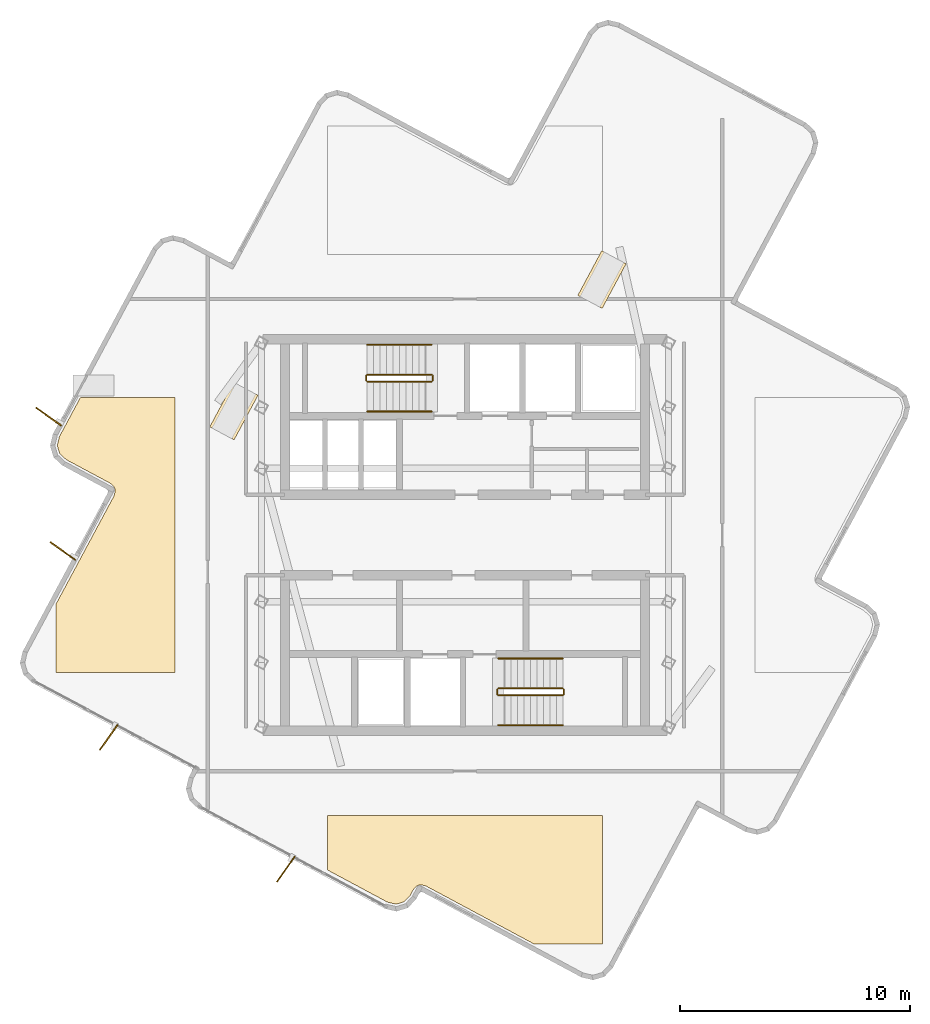
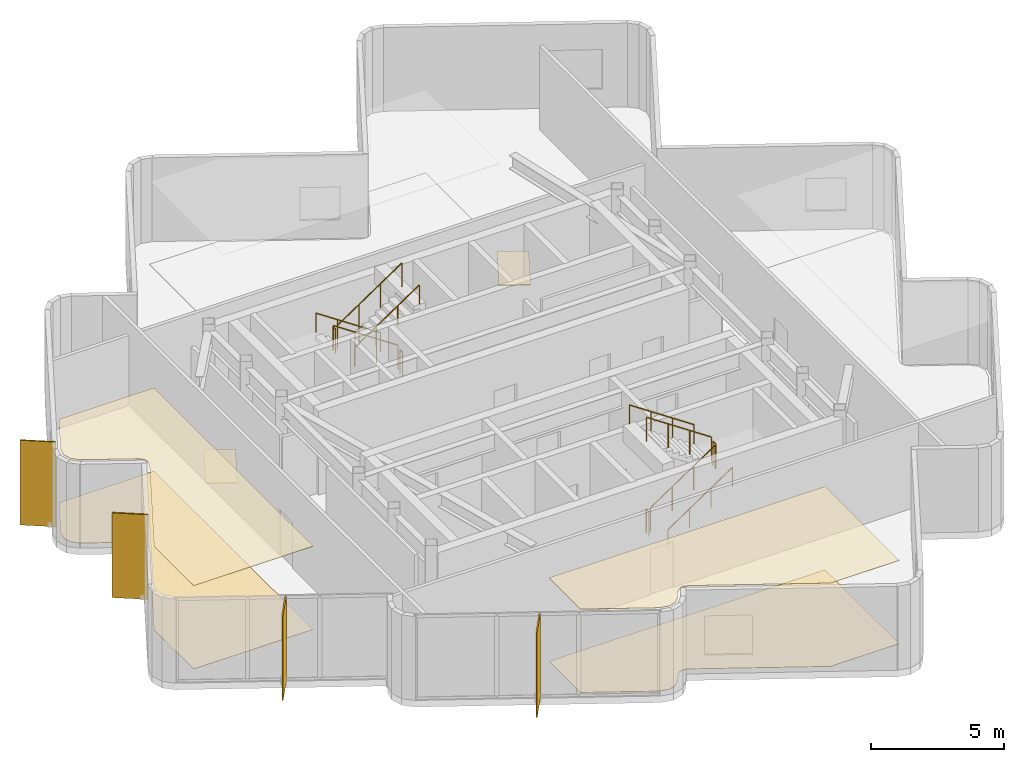
# One storey, part 7 of 9: 12 railings, 6 coverings, 4 shading devices.
"""IFC4 building model written with IfcOpenShell, lengths in metres."""

from ifc_helpers import new_model, si_unit, direction, frame, origin, origin_2d, place, context, subcontext, project, spatial, polyline, rectangle, circle, outline, extrude, material, layer, layer_set, type_object, element, save


model = new_model("IFC4")

# Units and contexts
model_context = context("Model", 3, precision=1e-05, world=origin(), true_north=direction((0.0, 1.0)))
body_context = subcontext(model_context, "Body", "Model", "MODEL_VIEW")
ifc_project = project(units=[si_unit("LENGTHUNIT", "METRE"), si_unit("AREAUNIT", "SQUARE_METRE"), si_unit("VOLUMEUNIT", "CUBIC_METRE"), si_unit("PLANEANGLEUNIT", "RADIAN"), si_unit("MASSUNIT", "GRAM", prefix="KILO")], contexts=[model_context])

# Site, building, storey
site_placement = place(None, origin())
site = spatial("IfcSite", under=ifc_project, at=site_placement, CompositionType="ELEMENT")
building_placement = place(site_placement, origin())
building = spatial("IfcBuilding", under=site, at=building_placement, Name="Solmarez Civic Tower", CompositionType="ELEMENT")
storey_placement = place(building_placement, frame((0.0, 0.0, 285.1201171875)))
storey = spatial("IfcBuildingStorey", under=building, at=storey_placement, Name="L77 Crown", CompositionType="ELEMENT", Elevation=285.1201171875)

# Coverings
ifc_material_1 = material(Name="Perforated Mineral-Fibre Acoustic Ceiling")
ifc_layer_1 = layer(ifc_material_1, 0.02490234375)
ifc_layer_set_1 = layer_set([ifc_layer_1], Name="Perforated Mineral-Fibre Acoustic Ceiling")
covering_type_1 = type_object("IfcCoveringType", Name="COV-CEIL-ACOUSTIC", PredefinedType="CEILING", material=ifc_layer_set_1)
covering_1_placement = place(storey_placement, frame((0.0, 0.0, 3.81494140625)))
element("IfcCovering", 1, at=covering_1_placement, inside=storey, type_object=covering_type_1, Name="L77 Crown Suspended Acoustic Ceiling 2", PredefinedType="CEILING", context=body_context, shape_type="SweptSolid", body=[
    extrude(outline(polyline([(5.97998046875, -12.199951171875), (-5.97998046875, -12.199951171875), (-5.97998046875, -14.56201171875), (-3.376953125, -15.9580078125), (-2.989013671875, -16.049072265625), (-2.64794921875, -15.946044921875), (-2.375, -15.656982421875), (-2.262939453125, -15.446044921875), (-2.251953125, -15.427978515625), (-2.243896484375, -15.416015625), (-2.23095703125, -15.39892578125), (-2.214111328125, -15.3798828125), (-2.14404296875, -15.304931640625), (-2.138916015625, -15.299072265625), (-2.133056640625, -15.29296875), (-2.117919921875, -15.280029296875), (-2.112060546875, -15.27490234375), (-2.093017578125, -15.260986328125), (-2.0869140625, -15.257080078125), (-2.070068359375, -15.2470703125), (-2.052001953125, -15.238037109375), (-2.044921875, -15.235107421875), (-2.0380859375, -15.23193359375), (-2.010986328125, -15.221923828125), (-2.00390625, -15.219970703125), (-1.9970703125, -15.218017578125), (-1.98095703125, -15.214111328125), (-1.964111328125, -15.2119140625), (-1.9560546875, -15.2109375), (-1.928955078125, -15.208984375), (-1.9208984375, -15.208984375), (-1.889892578125, -15.2109375), (-1.885009765625, -15.2119140625), (-1.87890625, -15.212890625), (-1.85498046875, -15.217041015625), (-1.7509765625, -15.241943359375), (-1.741943359375, -15.243896484375), (-1.735107421875, -15.24609375), (-1.72802734375, -15.248046875), (-1.7080078125, -15.2548828125), (-1.68994140625, -15.262939453125), (-1.68408203125, -15.26611328125), (-1.677978515625, -15.26904296875), (3.00390625, -17.780029296875), (5.97998046875, -17.780029296875), (5.97998046875, -12.199951171875)])), origin(), (0.0, 0.0, 1.0), 0.02490234375),
])
covering_2_placement = place(storey_placement, frame((0.0, 0.0, 3.81494140625)))
element("IfcCovering", 2, at=covering_2_placement, inside=storey, type_object=covering_type_1, Name="L77 Crown Suspended Acoustic Ceiling 4", PredefinedType="CEILING", context=body_context, shape_type="SweptSolid", body=[
    extrude(outline(polyline([(-12.60009765625, -5.97998046875), (-12.60009765625, 5.97998046875), (-16.718017578125, 5.97998046875), (-17.633056640625, 4.27490234375), (-17.72412109375, 3.886962890625), (-17.62109375, 3.544921875), (-17.3310546875, 3.27294921875), (-15.446044921875, 2.262939453125), (-15.427978515625, 2.251953125), (-15.416015625, 2.243896484375), (-15.39892578125, 2.23095703125), (-15.3798828125, 2.214111328125), (-15.304931640625, 2.14404296875), (-15.299072265625, 2.138916015625), (-15.29296875, 2.133056640625), (-15.280029296875, 2.117919921875), (-15.27490234375, 2.112060546875), (-15.260986328125, 2.093017578125), (-15.257080078125, 2.0869140625), (-15.2470703125, 2.070068359375), (-15.238037109375, 2.052001953125), (-15.235107421875, 2.044921875), (-15.23193359375, 2.0380859375), (-15.221923828125, 2.010986328125), (-15.219970703125, 2.00390625), (-15.218017578125, 1.9970703125), (-15.214111328125, 1.98095703125), (-15.2119140625, 1.964111328125), (-15.2109375, 1.9560546875), (-15.208984375, 1.928955078125), (-15.208984375, 1.9208984375), (-15.2109375, 1.889892578125), (-15.2119140625, 1.885009765625), (-15.212890625, 1.87890625), (-15.217041015625, 1.85498046875), (-15.241943359375, 1.7509765625), (-15.243896484375, 1.741943359375), (-15.24609375, 1.735107421875), (-15.248046875, 1.72802734375), (-15.2548828125, 1.7080078125), (-15.262939453125, 1.68994140625), (-15.26611328125, 1.68408203125), (-15.26904296875, 1.677978515625), (-17.780029296875, -3.00390625), (-17.780029296875, -5.97998046875), (-12.60009765625, -5.97998046875)])), origin(), (0.0, 0.0, 1.0), 0.02490234375),
])
ifc_material_2 = material(Name="Polished Tropical Stone Terrazzo Flooring", Category="masonry")
ifc_layer_2 = layer(ifc_material_2, 0.02001953125)
ifc_layer_set_2 = layer_set([ifc_layer_2], Name="Polished Tropical Stone Terrazzo Flooring")
covering_type_2 = type_object("IfcCoveringType", Name="COV-FLOOR-TERRAZZO", PredefinedType="FLOORING", material=ifc_layer_set_2)
covering_3_placement = place(storey_placement, origin())
element("IfcCovering", 3, at=covering_3_placement, inside=storey, type_object=covering_type_2, Name="L77 Crown Terrazzo Floor Finish 2", PredefinedType="FLOORING", context=body_context, shape_type="SweptSolid", body=[
    extrude(outline(polyline([(5.97998046875, -12.199951171875), (-5.97998046875, -12.199951171875), (-5.97998046875, -14.56201171875), (-3.376953125, -15.9580078125), (-2.989013671875, -16.049072265625), (-2.64794921875, -15.946044921875), (-2.375, -15.656982421875), (-2.262939453125, -15.446044921875), (-2.251953125, -15.427978515625), (-2.243896484375, -15.416015625), (-2.23095703125, -15.39892578125), (-2.214111328125, -15.3798828125), (-2.14404296875, -15.304931640625), (-2.138916015625, -15.299072265625), (-2.133056640625, -15.29296875), (-2.117919921875, -15.280029296875), (-2.112060546875, -15.27490234375), (-2.093017578125, -15.260986328125), (-2.0869140625, -15.257080078125), (-2.070068359375, -15.2470703125), (-2.052001953125, -15.238037109375), (-2.044921875, -15.235107421875), (-2.0380859375, -15.23193359375), (-2.010986328125, -15.221923828125), (-2.00390625, -15.219970703125), (-1.9970703125, -15.218017578125), (-1.98095703125, -15.214111328125), (-1.964111328125, -15.2119140625), (-1.9560546875, -15.2109375), (-1.928955078125, -15.208984375), (-1.9208984375, -15.208984375), (-1.889892578125, -15.2109375), (-1.885009765625, -15.2119140625), (-1.87890625, -15.212890625), (-1.85498046875, -15.217041015625), (-1.7509765625, -15.241943359375), (-1.741943359375, -15.243896484375), (-1.735107421875, -15.24609375), (-1.72802734375, -15.248046875), (-1.7080078125, -15.2548828125), (-1.68994140625, -15.262939453125), (-1.68408203125, -15.26611328125), (-1.677978515625, -15.26904296875), (3.00390625, -17.780029296875), (5.97998046875, -17.780029296875), (5.97998046875, -12.199951171875)])), origin(), (0.0, 0.0, 1.0), 0.019775390625),
])
covering_4_placement = place(storey_placement, origin())
element("IfcCovering", 4, at=covering_4_placement, inside=storey, type_object=covering_type_2, Name="L77 Crown Terrazzo Floor Finish 4", PredefinedType="FLOORING", context=body_context, shape_type="SweptSolid", body=[
    extrude(outline(polyline([(-12.60009765625, -5.97998046875), (-12.60009765625, 5.97998046875), (-16.718017578125, 5.97998046875), (-17.633056640625, 4.27490234375), (-17.72412109375, 3.886962890625), (-17.62109375, 3.544921875), (-17.3310546875, 3.27294921875), (-15.446044921875, 2.262939453125), (-15.427978515625, 2.251953125), (-15.416015625, 2.243896484375), (-15.39892578125, 2.23095703125), (-15.3798828125, 2.214111328125), (-15.304931640625, 2.14404296875), (-15.299072265625, 2.138916015625), (-15.29296875, 2.133056640625), (-15.280029296875, 2.117919921875), (-15.27490234375, 2.112060546875), (-15.260986328125, 2.093017578125), (-15.257080078125, 2.0869140625), (-15.2470703125, 2.070068359375), (-15.238037109375, 2.052001953125), (-15.235107421875, 2.044921875), (-15.23193359375, 2.0380859375), (-15.221923828125, 2.010986328125), (-15.219970703125, 2.00390625), (-15.218017578125, 1.9970703125), (-15.214111328125, 1.98095703125), (-15.2119140625, 1.964111328125), (-15.2109375, 1.9560546875), (-15.208984375, 1.928955078125), (-15.208984375, 1.9208984375), (-15.2109375, 1.889892578125), (-15.2119140625, 1.885009765625), (-15.212890625, 1.87890625), (-15.217041015625, 1.85498046875), (-15.241943359375, 1.7509765625), (-15.243896484375, 1.741943359375), (-15.24609375, 1.735107421875), (-15.248046875, 1.72802734375), (-15.2548828125, 1.7080078125), (-15.262939453125, 1.68994140625), (-15.26611328125, 1.68408203125), (-15.26904296875, 1.677978515625), (-17.780029296875, -3.00390625), (-17.780029296875, -5.97998046875), (-12.60009765625, -5.97998046875)])), origin(), (0.0, 0.0, 1.0), 0.019775390625),
])
ifc_material_3 = material(Name="Bronze Anodised Aluminium Exterior Soffit Cladding", Category="aluminium")
ifc_layer_3 = layer(ifc_material_3, 0.0400390625)
ifc_layer_set_3 = layer_set([ifc_layer_3], Name="Bronze Anodised Aluminium Exterior Soffit Cladding")
covering_type_3 = type_object("IfcCoveringType", Name="COV-SOFFIT-CLAD", PredefinedType="CLADDING", material=ifc_layer_set_3)
for number, where, z_axis, x_axis, name in (
    (5, (5.9541015625, 11.10400390625, -0.320068359375), (0.0, 0.0, 1.0), (0.472550764869, 0.881303452065, 0.0), "L77 Crown Crown Soffit Cladding Panel 1"),
    (6, (-10.047119140625, 5.386962890625, -0.320068359375), (0.0, 0.0, 1.0), (0.472550764869, 0.881303452065, 0.0), "L77 Crown Crown Soffit Cladding Panel 2"),
):
    element("IfcCovering", number, at=place(storey_placement, frame(where, z_axis=z_axis, x_axis=x_axis)), inside=storey, type_object=covering_type_3, Name=name, PredefinedType="CLADDING", context=body_context, shape_type="SweptSolid", body=[
        extrude(rectangle(XDim=2.199951171875, YDim=1.199951171875, at=origin_2d()), origin(), (0.0, 0.0, 1.0), 0.0400390625),
    ])

# Shading devices
ifc_material_4 = material(Name="Bronze Anodised Aluminium EN AW-6063 T6", Category="aluminium")
ifc_layer_4 = layer(ifc_material_4, 0.054931640625)
ifc_layer_set_4 = layer_set([ifc_layer_4], Name="Bronze Anodised Aluminium EN AW-6063 T6")
shading_device_type = type_object("IfcShadingDeviceType", Name="FIN-BRONZE-Z56", PredefinedType="USERDEFINED", material=ifc_layer_set_4)
for number, where, z_axis, x_axis, name in (
    (7, (-7.7900390625, -14.528076171875, -0.0400390625), (0.0, 0.0, 1.0), (-0.576403792081, -0.817165019121, 0.0), "L77 Crown Anodised Bronze Solar Fin FIN-L77 Crown-01"),
    (8, (-15.489013671875, -8.799072265625, -0.0400390625), (0.0, 0.0, 1.0), (-0.57636100463, -0.817195198433, 0.0), "L77 Crown Anodised Bronze Solar Fin FIN-L77 Crown-02"),
    (9, (-17.47998046875, -0.697998046875, -0.0400390625), (0.0, 0.0, 1.0), (-0.817094592015, 0.57650362332, 0.0), "L77 Crown Anodised Bronze Solar Fin FIN-L77 Crown-03"),
    (10, (-18.10107421875, 5.14794921875, -0.0400390625), (0.0, 0.0, 1.0), (-0.81711471529, 0.576475100986, 0.0), "L77 Crown Anodised Bronze Solar Fin FIN-L77 Crown-04"),
):
    element("IfcShadingDevice", number, at=place(storey_placement, frame(where, z_axis=z_axis, x_axis=x_axis)), inside=storey, type_object=shading_device_type, Name=name, ObjectType="FIN", PredefinedType="USERDEFINED", context=body_context, shape_type="SweptSolid", body=[
        extrude(rectangle(XDim=1.35009765625, YDim=0.054931640625, at=origin_2d()), origin(), (0.0, 0.0, 1.0), 3.8798828125),
    ])

# Railings
ifc_material_5 = material(Name="Painted Steel Stairwell Safety Guard", Category="steel")
railing_type_1 = type_object("IfcRailingType", Name="GUARD-STAIR-1120", PredefinedType="BALUSTRADE", material=ifc_material_5)
railing_1_placement = place(storey_placement, frame((-1.449951171875, 6.969970703125, 0.18798828125)))
element("IfcRailing", 11, at=railing_1_placement, inside=storey, type_object=railing_type_1, Name="L77 Crown ST-1 stair guard 1", PredefinedType="BALUSTRADE", context=body_context, shape_type="SweptSolid", body=[
    extrude(circle(Radius=0.02392578125, at=origin_2d()), frame((0.0, 0.0, 1.09619140625), z_axis=(-0.829973695312, 0.0, 0.557802532345), x_axis=(0.0, -1.0, 0.0)), (0.0, 0.0, 1.0), 3.373779296875),
    extrude(circle(Radius=0.02099609375, at=origin_2d()), origin(), (0.0, 0.0, 1.0), 1.072021484375),
    extrude(circle(Radius=0.02099609375, at=origin_2d()), frame((-0.933349609375, 0.0, 0.627197265625)), (0.0, 0.0, 1.0), 1.072021484375),
    extrude(circle(Radius=0.02099609375, at=origin_2d()), frame((-1.86669921875, 0.0, 1.254638671875)), (0.0, 0.0, 1.0), 1.072021484375),
    extrude(circle(Radius=0.02099609375, at=origin_2d()), frame((-2.800048828125, 0.0, 1.8818359375)), (0.0, 0.0, 1.0), 1.072021484375),
])
railing_2_placement = place(storey_placement, frame((-4.300048828125, 6.919921875, 2.06982421875)))
element("IfcRailing", 12, at=railing_2_placement, inside=storey, type_object=railing_type_1, Name="L77 Crown ST-1 stair guard 2", PredefinedType="BALUSTRADE", context=body_context, shape_type="SweptSolid", body=[
    extrude(circle(Radius=0.02392578125, at=origin_2d()), frame((0.0, 0.0, 1.09619140625), z_axis=(0.0, -1.0, 0.0), x_axis=(1.0, 0.0, 0.0)), (0.0, 0.0, 1.0), 0.199951171875),
    extrude(circle(Radius=0.02099609375, at=origin_2d()), origin(), (0.0, 0.0, 1.0), 1.072021484375),
    extrude(circle(Radius=0.02099609375, at=origin_2d()), frame((0.0, -0.199951171875, 0.0)), (0.0, 0.0, 1.0), 1.072021484375),
])
railing_3_placement = place(storey_placement, frame((-4.25, 6.669921875, 2.258056640625)))
element("IfcRailing", 13, at=railing_3_placement, inside=storey, type_object=railing_type_1, Name="L77 Crown ST-1 stair guard 3", PredefinedType="BALUSTRADE", context=body_context, shape_type="SweptSolid", body=[
    extrude(circle(Radius=0.02392578125, at=origin_2d()), frame((0.0, 0.0, 1.09619140625), z_axis=(0.829973695312, 0.0, 0.557802532345), x_axis=(0.0, 1.0, 0.0)), (0.0, 0.0, 1.0), 3.373779296875),
    extrude(circle(Radius=0.02099609375, at=origin_2d()), origin(), (0.0, 0.0, 1.0), 1.072021484375),
    extrude(circle(Radius=0.02099609375, at=origin_2d()), frame((0.933349609375, 0.0, 0.627197265625)), (0.0, 0.0, 1.0), 1.072021484375),
    extrude(circle(Radius=0.02099609375, at=origin_2d()), frame((1.86669921875, 0.0, 1.254638671875)), (0.0, 0.0, 1.0), 1.072021484375),
    extrude(circle(Radius=0.02099609375, at=origin_2d()), frame((2.800048828125, 0.0, 1.8818359375)), (0.0, 0.0, 1.0), 1.072021484375),
])
railing_4_placement = place(storey_placement, frame((-1.39990234375, 6.919921875, 0.0)))
element("IfcRailing", 14, at=railing_4_placement, inside=storey, type_object=railing_type_1, Name="L77 Crown ST-1 stair guard 4", PredefinedType="BALUSTRADE", context=body_context, shape_type="SweptSolid", body=[
    extrude(circle(Radius=0.02392578125, at=origin_2d()), frame((0.0, 0.0, 1.09619140625), z_axis=(0.0, -1.0, 0.0), x_axis=(1.0, 0.0, 0.0)), (0.0, 0.0, 1.0), 0.199951171875),
    extrude(circle(Radius=0.02099609375, at=origin_2d()), origin(), (0.0, 0.0, 1.0), 1.072021484375),
    extrude(circle(Radius=0.02099609375, at=origin_2d()), frame((0.0, -0.199951171875, 0.0)), (0.0, 0.0, 1.0), 1.072021484375),
])
railing_5_placement = place(storey_placement, frame((1.449951171875, -6.969970703125, 0.18798828125)))
element("IfcRailing", 15, at=railing_5_placement, inside=storey, type_object=railing_type_1, Name="L77 Crown ST-2 stair guard 1", PredefinedType="BALUSTRADE", context=body_context, shape_type="SweptSolid", body=[
    extrude(circle(Radius=0.02392578125, at=origin_2d()), frame((0.0, 0.0, 1.09619140625), z_axis=(0.829973695312, 0.0, 0.557802532345), x_axis=(0.0, 1.0, 0.0)), (0.0, 0.0, 1.0), 3.373779296875),
    extrude(circle(Radius=0.02099609375, at=origin_2d()), origin(), (0.0, 0.0, 1.0), 1.072021484375),
    extrude(circle(Radius=0.02099609375, at=origin_2d()), frame((0.933349609375, 0.0, 0.627197265625)), (0.0, 0.0, 1.0), 1.072021484375),
    extrude(circle(Radius=0.02099609375, at=origin_2d()), frame((1.86669921875, 0.0, 1.254638671875)), (0.0, 0.0, 1.0), 1.072021484375),
    extrude(circle(Radius=0.02099609375, at=origin_2d()), frame((2.800048828125, 0.0, 1.8818359375)), (0.0, 0.0, 1.0), 1.072021484375),
])
railing_6_placement = place(storey_placement, frame((4.300048828125, -6.919921875, 2.06982421875)))
element("IfcRailing", 16, at=railing_6_placement, inside=storey, type_object=railing_type_1, Name="L77 Crown ST-2 stair guard 2", PredefinedType="BALUSTRADE", context=body_context, shape_type="SweptSolid", body=[
    extrude(circle(Radius=0.02392578125, at=origin_2d()), frame((0.0, 0.0, 1.09619140625), z_axis=(0.0, 1.0, 0.0), x_axis=(-1.0, 0.0, 0.0)), (0.0, 0.0, 1.0), 0.199951171875),
    extrude(circle(Radius=0.02099609375, at=origin_2d()), origin(), (0.0, 0.0, 1.0), 1.072021484375),
    extrude(circle(Radius=0.02099609375, at=origin_2d()), frame((0.0, 0.199951171875, 0.0)), (0.0, 0.0, 1.0), 1.072021484375),
])
railing_7_placement = place(storey_placement, frame((4.25, -6.669921875, 2.258056640625)))
element("IfcRailing", 17, at=railing_7_placement, inside=storey, type_object=railing_type_1, Name="L77 Crown ST-2 stair guard 3", PredefinedType="BALUSTRADE", context=body_context, shape_type="SweptSolid", body=[
    extrude(circle(Radius=0.02392578125, at=origin_2d()), frame((0.0, 0.0, 1.09619140625), z_axis=(-0.829973695312, 0.0, 0.557802532345), x_axis=(0.0, -1.0, 0.0)), (0.0, 0.0, 1.0), 3.373779296875),
    extrude(circle(Radius=0.02099609375, at=origin_2d()), origin(), (0.0, 0.0, 1.0), 1.072021484375),
    extrude(circle(Radius=0.02099609375, at=origin_2d()), frame((-0.933349609375, 0.0, 0.627197265625)), (0.0, 0.0, 1.0), 1.072021484375),
    extrude(circle(Radius=0.02099609375, at=origin_2d()), frame((-1.86669921875, 0.0, 1.254638671875)), (0.0, 0.0, 1.0), 1.072021484375),
    extrude(circle(Radius=0.02099609375, at=origin_2d()), frame((-2.800048828125, 0.0, 1.8818359375)), (0.0, 0.0, 1.0), 1.072021484375),
])
railing_8_placement = place(storey_placement, frame((1.39990234375, -6.919921875, 0.0)))
element("IfcRailing", 18, at=railing_8_placement, inside=storey, type_object=railing_type_1, Name="L77 Crown ST-2 stair guard 4", PredefinedType="BALUSTRADE", context=body_context, shape_type="SweptSolid", body=[
    extrude(circle(Radius=0.02392578125, at=origin_2d()), frame((0.0, 0.0, 1.09619140625), z_axis=(0.0, 1.0, 0.0), x_axis=(-1.0, 0.0, 0.0)), (0.0, 0.0, 1.0), 0.199951171875),
    extrude(circle(Radius=0.02099609375, at=origin_2d()), origin(), (0.0, 0.0, 1.0), 1.072021484375),
    extrude(circle(Radius=0.02099609375, at=origin_2d()), frame((0.0, 0.199951171875, 0.0)), (0.0, 0.0, 1.0), 1.072021484375),
])
ifc_material_6 = material(Name="Brushed Stainless Steel Tube Handrail", Category="steel")
railing_type_2 = type_object("IfcRailingType", Name="HANDRAIL-STAIR-900", PredefinedType="HANDRAIL", material=ifc_material_6)
railing_9_placement = place(storey_placement, frame((-1.449951171875, 8.27001953125, 0.18798828125)))
element("IfcRailing", 19, at=railing_9_placement, inside=storey, type_object=railing_type_2, Name="L77 Crown ST-1 stair handrail 1", PredefinedType="HANDRAIL", context=body_context, shape_type="SweptSolid", body=[
    extrude(circle(Radius=0.02392578125, at=origin_2d()), frame((0.0, 0.0, 0.8759765625), z_axis=(-0.829973695312, 0.0, 0.557802532345), x_axis=(0.0, -1.0, 0.0)), (0.0, 0.0, 1.0), 3.373779296875),
    extrude(circle(Radius=0.02099609375, at=origin_2d()), origin(), (0.0, 0.0, 1.0), 0.851806640625),
    extrude(circle(Radius=0.02099609375, at=origin_2d()), frame((-0.933349609375, 0.0, 0.627197265625)), (0.0, 0.0, 1.0), 0.851806640625),
    extrude(circle(Radius=0.02099609375, at=origin_2d()), frame((-1.86669921875, 0.0, 1.254638671875)), (0.0, 0.0, 1.0), 0.851806640625),
    extrude(circle(Radius=0.02099609375, at=origin_2d()), frame((-2.800048828125, 0.0, 1.8818359375)), (0.0, 0.0, 1.0), 0.851806640625),
])
for number, where, name in (
    (20, (-4.25, 5.3701171875, 2.258056640625), "L77 Crown ST-1 stair handrail 2"),
    (21, (1.449951171875, -8.27001953125, 0.18798828125), "L77 Crown ST-2 stair handrail 1"),
):
    element("IfcRailing", number, at=place(storey_placement, frame(where)), inside=storey, type_object=railing_type_2, Name=name, PredefinedType="HANDRAIL", context=body_context, shape_type="SweptSolid", body=[
        extrude(circle(Radius=0.02392578125, at=origin_2d()), frame((0.0, 0.0, 0.8759765625), z_axis=(0.829973695312, 0.0, 0.557802532345), x_axis=(0.0, 1.0, 0.0)), (0.0, 0.0, 1.0), 3.373779296875),
        extrude(circle(Radius=0.02099609375, at=origin_2d()), origin(), (0.0, 0.0, 1.0), 0.851806640625),
        extrude(circle(Radius=0.02099609375, at=origin_2d()), frame((0.933349609375, 0.0, 0.627197265625)), (0.0, 0.0, 1.0), 0.851806640625),
        extrude(circle(Radius=0.02099609375, at=origin_2d()), frame((1.86669921875, 0.0, 1.254638671875)), (0.0, 0.0, 1.0), 0.851806640625),
        extrude(circle(Radius=0.02099609375, at=origin_2d()), frame((2.800048828125, 0.0, 1.8818359375)), (0.0, 0.0, 1.0), 0.851806640625),
    ])
railing_10_placement = place(storey_placement, frame((4.25, -5.3701171875, 2.258056640625)))
element("IfcRailing", 22, at=railing_10_placement, inside=storey, type_object=railing_type_2, Name="L77 Crown ST-2 stair handrail 2", PredefinedType="HANDRAIL", context=body_context, shape_type="SweptSolid", body=[
    extrude(circle(Radius=0.02392578125, at=origin_2d()), frame((0.0, 0.0, 0.8759765625), z_axis=(-0.829973695312, 0.0, 0.557802532345), x_axis=(0.0, -1.0, 0.0)), (0.0, 0.0, 1.0), 3.373779296875),
    extrude(circle(Radius=0.02099609375, at=origin_2d()), origin(), (0.0, 0.0, 1.0), 0.851806640625),
    extrude(circle(Radius=0.02099609375, at=origin_2d()), frame((-0.933349609375, 0.0, 0.627197265625)), (0.0, 0.0, 1.0), 0.851806640625),
    extrude(circle(Radius=0.02099609375, at=origin_2d()), frame((-1.86669921875, 0.0, 1.254638671875)), (0.0, 0.0, 1.0), 0.851806640625),
    extrude(circle(Radius=0.02099609375, at=origin_2d()), frame((-2.800048828125, 0.0, 1.8818359375)), (0.0, 0.0, 1.0), 0.851806640625),
])

save(model, "model.ifc")
